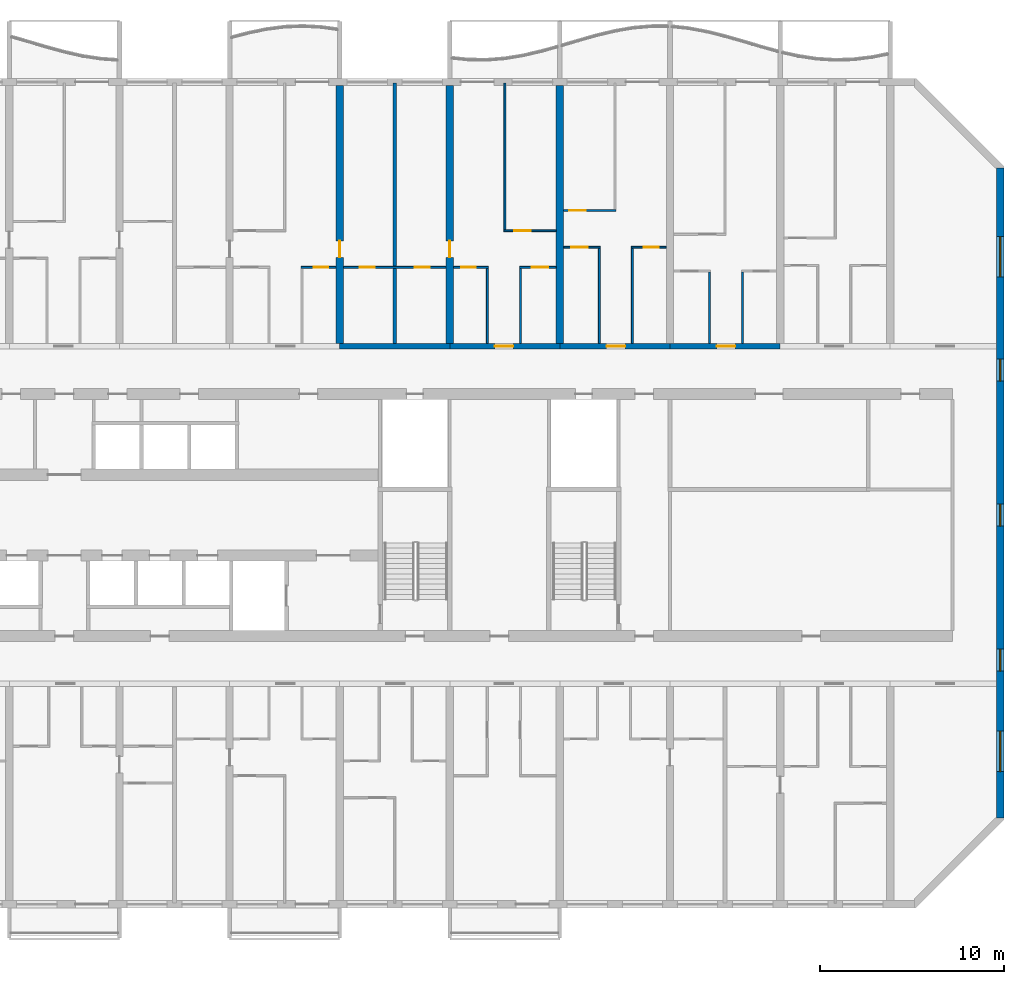
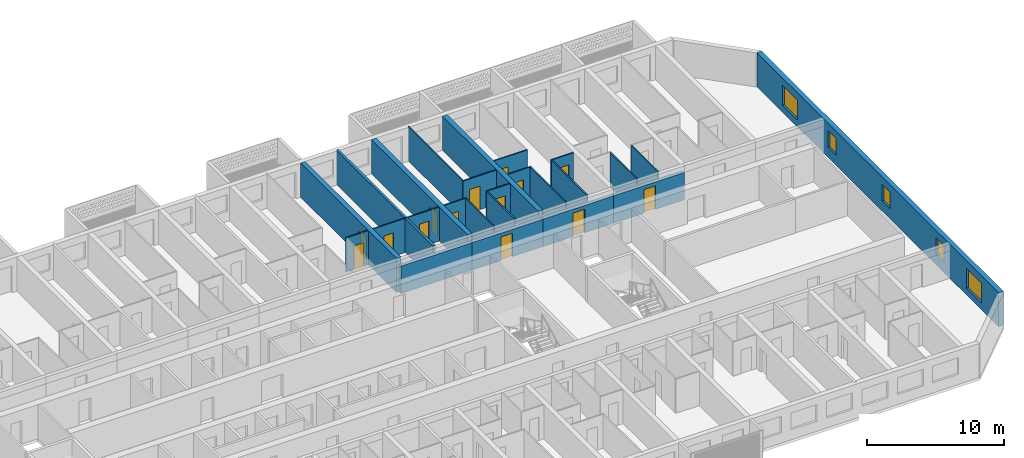
# One storey, part 16 of 40: 24 walls, 14 doors, 5 windows, 19 openings.
"""IFC4 building model written with IfcOpenShell, lengths in metres."""

from ifc_helpers import new_model, si_unit, direction, frame, frame_2d, origin, place, context, subcontext, project, spatial, rectangle, extrude, material, layer, layer_set, type_object, element, fill, save


model = new_model("IFC4")

# Units and contexts
model_context = context("Model", 3, precision=1e-05, world=origin(), true_north=direction((0.0, 1.0)))
body_context = subcontext(model_context, "Body", "Model", "MODEL_VIEW")
ifc_project = project(units=[si_unit("LENGTHUNIT", "METRE"), si_unit("AREAUNIT", "SQUARE_METRE"), si_unit("VOLUMEUNIT", "CUBIC_METRE"), si_unit("PLANEANGLEUNIT", "RADIAN"), si_unit("MASSUNIT", "GRAM", prefix="KILO")], contexts=[model_context])

# Site, building, storey
site_placement = place(None, origin())
site = spatial("IfcSite", under=ifc_project, at=site_placement, CompositionType="ELEMENT")
building_placement = place(site_placement, origin())
building = spatial("IfcBuilding", under=site, at=building_placement, Name="Poui Terraces", CompositionType="ELEMENT")
storey_placement = place(building_placement, frame((0.0, 0.0, 39.89990234375)))
storey = spatial("IfcBuildingStorey", under=building, at=storey_placement, Name="L10", CompositionType="ELEMENT", Elevation=39.89990234375)

# Wall
ifc_material_1 = material(Name="Concrete 80 MPa", Category="concrete")
ifc_layer_1 = layer(ifc_material_1, 0.300048828125)
ifc_layer_set_1 = layer_set([ifc_layer_1], Name="Concrete 80 MPa")
wall_type_1 = type_object("IfcWallType", Name="CORRIDOR WALL 300 80MPa", PredefinedType="SHEAR", material=ifc_layer_set_1)
wall_1_placement = place(storey_placement, frame((66.0, 30.39990234375, 0.0), z_axis=(0.0, 0.0, 1.0), x_axis=(1.0, 0.0, 0.0)))
element("IfcWall", 1, at=wall_1_placement, inside=storey, type_object=wall_type_1, Name="CORRIDOR WALL LINE E BAY 12", PredefinedType="SHEAR", context=body_context, shape_type="SweptSolid", body=[
    extrude(rectangle(XDim=6.0, YDim=0.300048828125, at=frame_2d((3.0, 0.0))), origin(), (0.0, 0.0, 1.0), 2.4501953125),
])

# Wall, opening, door
wall_2_placement = place(storey_placement, frame((72.0, 30.39990234375, 0.0), z_axis=(0.0, 0.0, 1.0), x_axis=(1.0, 0.0, 0.0)))
wall_2 = element("IfcWall", 2, at=wall_2_placement, inside=storey, type_object=wall_type_1, Name="CORRIDOR WALL LINE E BAY 13", PredefinedType="SHEAR", context=body_context, shape_type="SweptSolid", body=[
    extrude(rectangle(XDim=6.0, YDim=0.300048828125, at=frame_2d((3.0, 0.0))), origin(), (0.0, 0.0, 1.0), 2.4501953125),
])
opening_1_placement = place(wall_2_placement, frame((2.449951171875, 0.0, 0.0)))
opening_1 = element("IfcOpeningElement", 3, at=opening_1_placement, cuts=wall_2, Name="Opening FD30S", PredefinedType="OPENING", context=body_context, shape_type="SweptSolid", body=[
    extrude(rectangle(XDim=1.0, YDim=2.10009765625, at=frame_2d((0.5, 1.050048828125))), frame((0.0, 0.16015625, 0.0), z_axis=(0.0, -1.0, 0.0), x_axis=(1.0, 0.0, 0.0)), (0.0, 0.0, 1.0), 0.320068359375),
])
ifc_material_2 = material(Name="Steel fire door", Category="steel")
door_type_1 = type_object("IfcDoorType", Name="FLAT ENTRANCE DOOR 1000 X 2100", OperationType="NOTDEFINED", PredefinedType="DOOR", material=ifc_material_2)
door_1_placement = place(opening_1_placement, origin())
door_1 = element("IfcDoor", 4, at=door_1_placement, inside=storey, type_object=door_type_1, Name="FLAT ENTRANCE DOOR 074", OperationType="SINGLE_SWING_LEFT", OverallHeight=2.10009765625, OverallWidth=1.0, PredefinedType="DOOR", context=body_context, shape_type="SweptSolid", body=[
    extrude(rectangle(XDim=1.0, YDim=2.10009765625, at=frame_2d((0.5, 1.050048828125))), frame((0.0, 0.02490234375, 0.0), z_axis=(0.0, -1.0, 0.0), x_axis=(1.0, 0.0, 0.0)), (0.0, 0.0, 1.0), 0.050048828125),
])
fill(opening_1, door_1)

wall_3_placement = place(storey_placement, frame((78.0, 30.39990234375, 0.0), z_axis=(0.0, 0.0, 1.0), x_axis=(1.0, 0.0, 0.0)))
wall_3 = element("IfcWall", 5, at=wall_3_placement, inside=storey, type_object=wall_type_1, Name="CORRIDOR WALL LINE E BAY 14", PredefinedType="SHEAR", context=body_context, shape_type="SweptSolid", body=[
    extrude(rectangle(XDim=6.0, YDim=0.300048828125, at=frame_2d((3.0, 0.0))), origin(), (0.0, 0.0, 1.0), 2.4501953125),
])
opening_2_placement = place(wall_3_placement, frame((2.550048828125, 0.0, 0.0)))
opening_2 = element("IfcOpeningElement", 6, at=opening_2_placement, cuts=wall_3, Name="Opening FD30S", PredefinedType="OPENING", context=body_context, shape_type="SweptSolid", body=[
    extrude(rectangle(XDim=1.0, YDim=2.10009765625, at=frame_2d((0.5, 1.050048828125))), frame((0.0, 0.16015625, 0.0), z_axis=(0.0, -1.0, 0.0), x_axis=(1.0, 0.0, 0.0)), (0.0, 0.0, 1.0), 0.320068359375),
])
door_2_placement = place(opening_2_placement, origin())
door_2 = element("IfcDoor", 7, at=door_2_placement, inside=storey, type_object=door_type_1, Name="FLAT ENTRANCE DOOR 079", OperationType="SINGLE_SWING_RIGHT", OverallHeight=2.10009765625, OverallWidth=1.0, PredefinedType="DOOR", context=body_context, shape_type="SweptSolid", body=[
    extrude(rectangle(XDim=1.0, YDim=2.10009765625, at=frame_2d((0.5, 1.050048828125))), frame((0.0, 0.02490234375, 0.0), z_axis=(0.0, -1.0, 0.0), x_axis=(1.0, 0.0, 0.0)), (0.0, 0.0, 1.0), 0.050048828125),
])
fill(opening_2, door_2)

wall_4_placement = place(storey_placement, frame((84.0, 30.39990234375, 0.0), z_axis=(0.0, 0.0, 1.0), x_axis=(1.0, 0.0, 0.0)))
wall_4 = element("IfcWall", 8, at=wall_4_placement, inside=storey, type_object=wall_type_1, Name="CORRIDOR WALL LINE E BAY 15", PredefinedType="SHEAR", context=body_context, shape_type="SweptSolid", body=[
    extrude(rectangle(XDim=6.0, YDim=0.300048828125, at=frame_2d((3.0, 0.0))), origin(), (0.0, 0.0, 1.0), 2.4501953125),
])
opening_3_placement = place(wall_4_placement, frame((2.550048828125, 0.0, 0.0)))
opening_3 = element("IfcOpeningElement", 9, at=opening_3_placement, cuts=wall_4, Name="Opening FD30S", PredefinedType="OPENING", context=body_context, shape_type="SweptSolid", body=[
    extrude(rectangle(XDim=1.0, YDim=2.10009765625, at=frame_2d((0.5, 1.050048828125))), frame((0.0, 0.16015625, 0.0), z_axis=(0.0, -1.0, 0.0), x_axis=(1.0, 0.0, 0.0)), (0.0, 0.0, 1.0), 0.320068359375),
])
door_3_placement = place(opening_3_placement, origin())
door_3 = element("IfcDoor", 10, at=door_3_placement, inside=storey, type_object=door_type_1, Name="FLAT ENTRANCE DOOR 083", OperationType="SINGLE_SWING_RIGHT", OverallHeight=2.10009765625, OverallWidth=1.0, PredefinedType="DOOR", context=body_context, shape_type="SweptSolid", body=[
    extrude(rectangle(XDim=1.0, YDim=2.10009765625, at=frame_2d((0.5, 1.050048828125))), frame((0.0, 0.02490234375, 0.0), z_axis=(0.0, -1.0, 0.0), x_axis=(1.0, 0.0, 0.0)), (0.0, 0.0, 1.0), 0.050048828125),
])
fill(opening_3, door_3)

ifc_layer_2 = layer(ifc_material_1, 0.39990234375)
ifc_layer_set_2 = layer_set([ifc_layer_2], Name="Concrete 80 MPa")
wall_type_2 = type_object("IfcWallType", Name="CROSS WALL 400 80MPa", PredefinedType="SHEAR", material=ifc_layer_set_2)
wall_5_placement = place(storey_placement, frame((66.0, 30.550048828125, 0.0), z_axis=(0.0, 0.0, 1.0), x_axis=(0.0, 1.0, 0.0)))
wall_5 = element("IfcWall", 11, at=wall_5_placement, inside=storey, type_object=wall_type_2, Name="CROSS WALL LINE 12 NORTH", PredefinedType="SHEAR", context=body_context, shape_type="SweptSolid", body=[
    extrude(rectangle(XDim=14.050048828125, YDim=0.39990234375, at=frame_2d((7.02490234375, 0.0))), origin(), (0.0, 0.0, 1.0), 3.050048828125),
])
opening_4_placement = place(wall_5_placement, frame((4.699951171875, 0.0, 0.0)))
opening_4 = element("IfcOpeningElement", 12, at=opening_4_placement, cuts=wall_5, Name="Opening D90", PredefinedType="OPENING", context=body_context, shape_type="SweptSolid", body=[
    extrude(rectangle(XDim=0.89990234375, YDim=2.10009765625, at=frame_2d((0.449951171875, 1.050048828125))), frame((0.0, 0.2099609375, 0.0), z_axis=(0.0, -1.0, 0.0), x_axis=(1.0, 0.0, 0.0)), (0.0, 0.0, 1.0), 0.419921875),
])
ifc_material_3 = material(Name="Solid core timber door", Category="wood")
door_type_2 = type_object("IfcDoorType", Name="INTERNAL DOOR 900 X 2100", OperationType="NOTDEFINED", PredefinedType="DOOR", material=ifc_material_3)
door_4_placement = place(opening_4_placement, frame((0.89990234375, 0.0, 0.0), z_axis=(0.0, 0.0, 1.0), x_axis=(-1.0, 0.0, 0.0)))
door_4 = element("IfcDoor", 13, at=door_4_placement, inside=storey, type_object=door_type_2, Name="INTERNAL DOOR 070", OperationType="SINGLE_SWING_RIGHT", OverallHeight=2.10009765625, OverallWidth=0.89990234375, PredefinedType="DOOR", context=body_context, shape_type="SweptSolid", body=[
    extrude(rectangle(XDim=0.89990234375, YDim=2.10009765625, at=frame_2d((0.449951171875, 1.050048828125))), frame((0.0, 0.02490234375, 0.0), z_axis=(0.0, -1.0, 0.0), x_axis=(1.0, 0.0, 0.0)), (0.0, 0.0, 1.0), 0.050048828125),
])
fill(opening_4, door_4)

wall_6_placement = place(storey_placement, frame((72.0, 30.550048828125, 0.0), z_axis=(0.0, 0.0, 1.0), x_axis=(0.0, 1.0, 0.0)))
wall_6 = element("IfcWall", 14, at=wall_6_placement, inside=storey, type_object=wall_type_2, Name="CROSS WALL LINE 13 NORTH", PredefinedType="SHEAR", context=body_context, shape_type="SweptSolid", body=[
    extrude(rectangle(XDim=14.050048828125, YDim=0.39990234375, at=frame_2d((7.02490234375, 0.0))), origin(), (0.0, 0.0, 1.0), 3.050048828125),
])
opening_5_placement = place(wall_6_placement, frame((4.699951171875, 0.0, 0.0)))
opening_5 = element("IfcOpeningElement", 15, at=opening_5_placement, cuts=wall_6, Name="Opening D90", PredefinedType="OPENING", context=body_context, shape_type="SweptSolid", body=[
    extrude(rectangle(XDim=0.89990234375, YDim=2.10009765625, at=frame_2d((0.449951171875, 1.050048828125))), frame((0.0, 0.2099609375, 0.0), z_axis=(0.0, -1.0, 0.0), x_axis=(1.0, 0.0, 0.0)), (0.0, 0.0, 1.0), 0.419921875),
])
door_5_placement = place(opening_5_placement, origin())
door_5 = element("IfcDoor", 16, at=door_5_placement, inside=storey, type_object=door_type_2, Name="INTERNAL DOOR 072", OperationType="SINGLE_SWING_LEFT", OverallHeight=2.10009765625, OverallWidth=0.89990234375, PredefinedType="DOOR", context=body_context, shape_type="SweptSolid", body=[
    extrude(rectangle(XDim=0.89990234375, YDim=2.10009765625, at=frame_2d((0.449951171875, 1.050048828125))), frame((0.0, 0.02490234375, 0.0), z_axis=(0.0, -1.0, 0.0), x_axis=(1.0, 0.0, 0.0)), (0.0, 0.0, 1.0), 0.050048828125),
])
fill(opening_5, door_5)

# Wall
wall_7_placement = place(storey_placement, frame((78.0, 30.550048828125, 0.0), z_axis=(0.0, 0.0, 1.0), x_axis=(0.0, 1.0, 0.0)))
element("IfcWall", 17, at=wall_7_placement, inside=storey, type_object=wall_type_2, Name="CROSS WALL LINE 14 NORTH", PredefinedType="SHEAR", context=body_context, shape_type="SweptSolid", body=[
    extrude(rectangle(XDim=14.050048828125, YDim=0.39990234375, at=frame_2d((7.02490234375, 0.0))), origin(), (0.0, 0.0, 1.0), 3.050048828125),
])

# Wall, openings, windows
ifc_layer_3 = layer(ifc_material_1, 0.39990234375)
ifc_layer_set_3 = layer_set([ifc_layer_3], Name="Concrete 80 MPa")
wall_type_3 = type_object("IfcWallType", Name="END WALL 400 80MPa", PredefinedType="SHEAR", material=ifc_layer_set_3)
wall_8_placement = place(storey_placement, frame((102.0, 4.682861328125, 0.0), z_axis=(0.0, 0.0, 1.0), x_axis=(0.0, 1.0, 0.0)))
wall_8 = element("IfcWall", 18, at=wall_8_placement, inside=storey, type_object=wall_type_3, Name="END WALL EAST", PredefinedType="SHEAR", context=body_context, shape_type="SweptSolid", body=[
    extrude(rectangle(XDim=35.434326171875, YDim=0.39990234375, at=frame_2d((17.71728515625, 0.0))), origin(), (0.0, 0.0, 1.0), 3.050048828125),
])
opening_6_placement = place(wall_8_placement, frame((15.917236328125, 0.0, 0.89990234375)))
opening_6 = element("IfcOpeningElement", 19, at=opening_6_placement, cuts=wall_8, Name="Opening W2", PredefinedType="OPENING", context=body_context, shape_type="SweptSolid", body=[
    extrude(rectangle(XDim=1.199951171875, YDim=1.5, at=frame_2d((0.60009765625, 0.75))), frame((0.0, 0.2099609375, 0.0), z_axis=(0.0, -1.0, 0.0), x_axis=(1.0, 0.0, 0.0)), (0.0, 0.0, 1.0), 0.419921875),
])
opening_7_placement = place(wall_8_placement, frame((23.817138671875, 0.0, 0.89990234375)))
opening_7 = element("IfcOpeningElement", 20, at=opening_7_placement, cuts=wall_8, Name="Opening W2", PredefinedType="OPENING", context=body_context, shape_type="SweptSolid", body=[
    extrude(rectangle(XDim=1.199951171875, YDim=1.5, at=frame_2d((0.60009765625, 0.75))), frame((0.0, 0.2099609375, 0.0), z_axis=(0.0, -1.0, 0.0), x_axis=(1.0, 0.0, 0.0)), (0.0, 0.0, 1.0), 0.419921875),
])
opening_8_placement = place(wall_8_placement, frame((8.01708984375, 0.0, 0.89990234375)))
opening_8 = element("IfcOpeningElement", 21, at=opening_8_placement, cuts=wall_8, Name="Opening W2", PredefinedType="OPENING", context=body_context, shape_type="SweptSolid", body=[
    extrude(rectangle(XDim=1.199951171875, YDim=1.5, at=frame_2d((0.60009765625, 0.75))), frame((0.0, 0.2099609375, 0.0), z_axis=(0.0, -1.0, 0.0), x_axis=(1.0, 0.0, 0.0)), (0.0, 0.0, 1.0), 0.419921875),
])
opening_9_placement = place(wall_8_placement, frame((29.493408203125, 0.0, 0.60009765625)))
opening_9 = element("IfcOpeningElement", 22, at=opening_9_placement, cuts=wall_8, Name="Opening W3", PredefinedType="OPENING", context=body_context, shape_type="SweptSolid", body=[
    extrude(rectangle(XDim=2.199951171875, YDim=1.800048828125, at=frame_2d((1.10009765625, 0.89990234375))), frame((0.0, 0.2099609375, 0.0), z_axis=(0.0, -1.0, 0.0), x_axis=(1.0, 0.0, 0.0)), (0.0, 0.0, 1.0), 0.419921875),
])
opening_10_placement = place(wall_8_placement, frame((2.541015625, 0.0, 0.60009765625)))
opening_10 = element("IfcOpeningElement", 23, at=opening_10_placement, cuts=wall_8, Name="Opening W3", PredefinedType="OPENING", context=body_context, shape_type="SweptSolid", body=[
    extrude(rectangle(XDim=2.199951171875, YDim=1.800048828125, at=frame_2d((1.10009765625, 0.89990234375))), frame((0.0, 0.2099609375, 0.0), z_axis=(0.0, -1.0, 0.0), x_axis=(1.0, 0.0, 0.0)), (0.0, 0.0, 1.0), 0.419921875),
])
ifc_material_4 = material(Name="Clear glass in aluminium frame", Category="aluminium")
window_type_1 = type_object("IfcWindowType", Name="WINDOW 1200X1500", PartitioningType="SINGLE_PANEL", PredefinedType="WINDOW", material=ifc_material_4)
window_1_placement = place(opening_6_placement, origin())
window_1 = element("IfcWindow", 24, at=window_1_placement, inside=storey, type_object=window_type_1, Name="W2 WINDOW", OverallHeight=1.5, OverallWidth=1.199951171875, PartitioningType="SINGLE_PANEL", PredefinedType="WINDOW", context=body_context, shape_type="SweptSolid", body=[
    extrude(rectangle(XDim=1.199951171875, YDim=1.5, at=frame_2d((0.60009765625, 0.75))), frame((0.0, 0.030029296875, 0.0), z_axis=(0.0, -1.0, 0.0), x_axis=(1.0, 0.0, 0.0)), (0.0, 0.0, 1.0), 0.06005859375),
])
fill(opening_6, window_1)
window_2_placement = place(opening_7_placement, origin())
window_2 = element("IfcWindow", 25, at=window_2_placement, inside=storey, type_object=window_type_1, Name="W2 WINDOW", OverallHeight=1.5, OverallWidth=1.199951171875, PartitioningType="SINGLE_PANEL", PredefinedType="WINDOW", context=body_context, shape_type="SweptSolid", body=[
    extrude(rectangle(XDim=1.199951171875, YDim=1.5, at=frame_2d((0.60009765625, 0.75))), frame((0.0, 0.030029296875, 0.0), z_axis=(0.0, -1.0, 0.0), x_axis=(1.0, 0.0, 0.0)), (0.0, 0.0, 1.0), 0.06005859375),
])
fill(opening_7, window_2)
window_3_placement = place(opening_8_placement, origin())
window_3 = element("IfcWindow", 26, at=window_3_placement, inside=storey, type_object=window_type_1, Name="W2 WINDOW", OverallHeight=1.5, OverallWidth=1.199951171875, PartitioningType="SINGLE_PANEL", PredefinedType="WINDOW", context=body_context, shape_type="SweptSolid", body=[
    extrude(rectangle(XDim=1.199951171875, YDim=1.5, at=frame_2d((0.60009765625, 0.75))), frame((0.0, 0.030029296875, 0.0), z_axis=(0.0, -1.0, 0.0), x_axis=(1.0, 0.0, 0.0)), (0.0, 0.0, 1.0), 0.06005859375),
])
fill(opening_8, window_3)
window_type_2 = type_object("IfcWindowType", Name="WINDOW 2200X1800", PartitioningType="DOUBLE_PANEL_HORIZONTAL", PredefinedType="WINDOW", material=ifc_material_4)
window_4_placement = place(opening_9_placement, origin())
window_4 = element("IfcWindow", 27, at=window_4_placement, inside=storey, type_object=window_type_2, Name="W3 WINDOW", OverallHeight=1.800048828125, OverallWidth=2.199951171875, PartitioningType="DOUBLE_PANEL_HORIZONTAL", PredefinedType="WINDOW", context=body_context, shape_type="SweptSolid", body=[
    extrude(rectangle(XDim=2.199951171875, YDim=1.800048828125, at=frame_2d((1.10009765625, 0.89990234375))), frame((0.0, 0.030029296875, 0.0), z_axis=(0.0, -1.0, 0.0), x_axis=(1.0, 0.0, 0.0)), (0.0, 0.0, 1.0), 0.06005859375),
])
fill(opening_9, window_4)
window_5_placement = place(opening_10_placement, origin())
window_5 = element("IfcWindow", 28, at=window_5_placement, inside=storey, type_object=window_type_2, Name="W3 WINDOW", OverallHeight=1.800048828125, OverallWidth=2.199951171875, PartitioningType="DOUBLE_PANEL_HORIZONTAL", PredefinedType="WINDOW", context=body_context, shape_type="SweptSolid", body=[
    extrude(rectangle(XDim=2.199951171875, YDim=1.800048828125, at=frame_2d((1.10009765625, 0.89990234375))), frame((0.0, 0.030029296875, 0.0), z_axis=(0.0, -1.0, 0.0), x_axis=(1.0, 0.0, 0.0)), (0.0, 0.0, 1.0), 0.06005859375),
])
fill(opening_10, window_5)

# Wall, opening, door
ifc_material_5 = material(Name="Plasterboard partition")
ifc_layer_4 = layer(ifc_material_5, 0.10009765625)
ifc_layer_set_4 = layer_set([ifc_layer_4], Name="Plasterboard partition")
wall_type_4 = type_object("IfcWallType", Name="FLAT PARTITION 100", PredefinedType="PARTITIONING", material=ifc_layer_set_4)
wall_9_placement = place(storey_placement, frame((63.89990234375, 34.699951171875, 0.0), z_axis=(0.0, 0.0, 1.0), x_axis=(1.0, 0.0, 0.0)))
wall_9 = element("IfcWall", 29, at=wall_9_placement, inside=storey, type_object=wall_type_4, Name="FLAT PARTITION 100", PredefinedType="PARTITIONING", context=body_context, shape_type="SweptSolid", body=[
    extrude(rectangle(XDim=1.89013671875, YDim=0.10009765625, at=frame_2d((0.945068359375, 0.0))), origin(), (0.0, 0.0, 1.0), 3.050048828125),
])
opening_11_placement = place(wall_9_placement, frame((0.675048828125, 0.0, 0.0)))
opening_11 = element("IfcOpeningElement", 30, at=opening_11_placement, cuts=wall_9, Name="Opening D80", PredefinedType="OPENING", context=body_context, shape_type="SweptSolid", body=[
    extrude(rectangle(XDim=0.800048828125, YDim=2.10009765625, at=frame_2d((0.39990234375, 1.050048828125))), frame((0.0, 0.06005859375, 0.0), z_axis=(0.0, -1.0, 0.0), x_axis=(1.0, 0.0, 0.0)), (0.0, 0.0, 1.0), 0.1201171875),
])
door_type_3 = type_object("IfcDoorType", Name="BATHROOM, LAUNDRY AND STORE DOOR 800 X 2100", OperationType="NOTDEFINED", PredefinedType="DOOR", material=ifc_material_3)
door_6_placement = place(opening_11_placement, frame((0.800048828125, 0.0, 0.0), z_axis=(0.0, 0.0, 1.0), x_axis=(-1.0, 0.0, 0.0)))
door_6 = element("IfcDoor", 31, at=door_6_placement, inside=storey, type_object=door_type_3, Name="BATHROOM, LAUNDRY AND STORE DOOR 069", OperationType="SINGLE_SWING_LEFT", OverallHeight=2.10009765625, OverallWidth=0.800048828125, PredefinedType="DOOR", context=body_context, shape_type="SweptSolid", body=[
    extrude(rectangle(XDim=0.800048828125, YDim=2.10009765625, at=frame_2d((0.39990234375, 1.050048828125))), frame((0.0, 0.02490234375, 0.0), z_axis=(0.0, -1.0, 0.0), x_axis=(1.0, 0.0, 0.0)), (0.0, 0.0, 1.0), 0.050048828125),
])
fill(opening_11, door_6)

# Wall, openings, doors
wall_10_placement = place(storey_placement, frame((66.2099609375, 34.699951171875, 0.0), z_axis=(0.0, 0.0, 1.0), x_axis=(1.0, 0.0, 0.0)))
wall_10 = element("IfcWall", 32, at=wall_10_placement, inside=storey, type_object=wall_type_4, Name="FLAT PARTITION 100", PredefinedType="PARTITIONING", context=body_context, shape_type="SweptSolid", body=[
    extrude(rectangle(XDim=5.580078125, YDim=0.10009765625, at=frame_2d((2.7900390625, 0.0))), origin(), (0.0, 0.0, 1.0), 3.050048828125),
])
opening_12_placement = place(wall_10_placement, frame((0.889892578125, 0.0, 0.0)))
opening_12 = element("IfcOpeningElement", 33, at=opening_12_placement, cuts=wall_10, Name="Opening D80", PredefinedType="OPENING", context=body_context, shape_type="SweptSolid", body=[
    extrude(rectangle(XDim=0.800048828125, YDim=2.10009765625, at=frame_2d((0.39990234375, 1.050048828125))), frame((0.0, 0.06005859375, 0.0), z_axis=(0.0, -1.0, 0.0), x_axis=(1.0, 0.0, 0.0)), (0.0, 0.0, 1.0), 0.1201171875),
])
opening_13_placement = place(wall_10_placement, frame((3.889892578125, 0.0, 0.0)))
opening_13 = element("IfcOpeningElement", 34, at=opening_13_placement, cuts=wall_10, Name="Opening D80", PredefinedType="OPENING", context=body_context, shape_type="SweptSolid", body=[
    extrude(rectangle(XDim=0.800048828125, YDim=2.10009765625, at=frame_2d((0.39990234375, 1.050048828125))), frame((0.0, 0.06005859375, 0.0), z_axis=(0.0, -1.0, 0.0), x_axis=(1.0, 0.0, 0.0)), (0.0, 0.0, 1.0), 0.1201171875),
])
door_7_placement = place(opening_12_placement, frame((0.800048828125, 0.0, 0.0), z_axis=(0.0, 0.0, 1.0), x_axis=(-1.0, 0.0, 0.0)))
door_7 = element("IfcDoor", 35, at=door_7_placement, inside=storey, type_object=door_type_3, Name="BATHROOM, LAUNDRY AND STORE DOOR 064", OperationType="SINGLE_SWING_RIGHT", OverallHeight=2.10009765625, OverallWidth=0.800048828125, PredefinedType="DOOR", context=body_context, shape_type="SweptSolid", body=[
    extrude(rectangle(XDim=0.800048828125, YDim=2.10009765625, at=frame_2d((0.39990234375, 1.050048828125))), frame((0.0, 0.02490234375, 0.0), z_axis=(0.0, -1.0, 0.0), x_axis=(1.0, 0.0, 0.0)), (0.0, 0.0, 1.0), 0.050048828125),
])
fill(opening_12, door_7)
door_8_placement = place(opening_13_placement, frame((0.800048828125, 0.0, 0.0), z_axis=(0.0, 0.0, 1.0), x_axis=(-1.0, 0.0, 0.0)))
door_8 = element("IfcDoor", 36, at=door_8_placement, inside=storey, type_object=door_type_3, Name="BATHROOM, LAUNDRY AND STORE DOOR 071", OperationType="SINGLE_SWING_LEFT", OverallHeight=2.10009765625, OverallWidth=0.800048828125, PredefinedType="DOOR", context=body_context, shape_type="SweptSolid", body=[
    extrude(rectangle(XDim=0.800048828125, YDim=2.10009765625, at=frame_2d((0.39990234375, 1.050048828125))), frame((0.0, 0.02490234375, 0.0), z_axis=(0.0, -1.0, 0.0), x_axis=(1.0, 0.0, 0.0)), (0.0, 0.0, 1.0), 0.050048828125),
])
fill(opening_13, door_8)

# Wall, opening, door
wall_11_placement = place(storey_placement, frame((72.2099609375, 34.699951171875, 0.0), z_axis=(0.0, 0.0, 1.0), x_axis=(1.0, 0.0, 0.0)))
wall_11 = element("IfcWall", 37, at=wall_11_placement, inside=storey, type_object=wall_type_4, Name="FLAT PARTITION 100", PredefinedType="PARTITIONING", context=body_context, shape_type="SweptSolid", body=[
    extrude(rectangle(XDim=1.89013671875, YDim=0.10009765625, at=frame_2d((0.945068359375, 0.0))), origin(), (0.0, 0.0, 1.0), 3.050048828125),
])
opening_14_placement = place(wall_11_placement, frame((0.4150390625, 0.0, 0.0)))
opening_14 = element("IfcOpeningElement", 38, at=opening_14_placement, cuts=wall_11, Name="Opening D80", PredefinedType="OPENING", context=body_context, shape_type="SweptSolid", body=[
    extrude(rectangle(XDim=0.800048828125, YDim=2.10009765625, at=frame_2d((0.39990234375, 1.050048828125))), frame((0.0, 0.06005859375, 0.0), z_axis=(0.0, -1.0, 0.0), x_axis=(1.0, 0.0, 0.0)), (0.0, 0.0, 1.0), 0.1201171875),
])
door_9_placement = place(opening_14_placement, frame((0.800048828125, 0.0, 0.0), z_axis=(0.0, 0.0, 1.0), x_axis=(-1.0, 0.0, 0.0)))
door_9 = element("IfcDoor", 39, at=door_9_placement, inside=storey, type_object=door_type_3, Name="BATHROOM, LAUNDRY AND STORE DOOR 073", OperationType="SINGLE_SWING_LEFT", OverallHeight=2.10009765625, OverallWidth=0.800048828125, PredefinedType="DOOR", context=body_context, shape_type="SweptSolid", body=[
    extrude(rectangle(XDim=0.800048828125, YDim=2.10009765625, at=frame_2d((0.39990234375, 1.050048828125))), frame((0.0, 0.02490234375, 0.0), z_axis=(0.0, -1.0, 0.0), x_axis=(1.0, 0.0, 0.0)), (0.0, 0.0, 1.0), 0.050048828125),
])
fill(opening_14, door_9)

wall_12_placement = place(storey_placement, frame((75.800048828125, 34.699951171875, 0.0), z_axis=(0.0, 0.0, 1.0), x_axis=(1.0, 0.0, 0.0)))
wall_12 = element("IfcWall", 40, at=wall_12_placement, inside=storey, type_object=wall_type_4, Name="FLAT PARTITION 100", PredefinedType="PARTITIONING", context=body_context, shape_type="SweptSolid", body=[
    extrude(rectangle(XDim=1.989990234375, YDim=0.10009765625, at=frame_2d((0.9951171875, 0.0))), origin(), (0.0, 0.0, 1.0), 3.050048828125),
])
opening_15_placement = place(wall_12_placement, frame((0.675048828125, 0.0, 0.0)))
opening_15 = element("IfcOpeningElement", 41, at=opening_15_placement, cuts=wall_12, Name="Opening D90", PredefinedType="OPENING", context=body_context, shape_type="SweptSolid", body=[
    extrude(rectangle(XDim=0.89990234375, YDim=2.10009765625, at=frame_2d((0.449951171875, 1.050048828125))), frame((0.0, 0.06005859375, 0.0), z_axis=(0.0, -1.0, 0.0), x_axis=(1.0, 0.0, 0.0)), (0.0, 0.0, 1.0), 0.1201171875),
])
door_10_placement = place(opening_15_placement, frame((0.89990234375, 0.0, 0.0), z_axis=(0.0, 0.0, 1.0), x_axis=(-1.0, 0.0, 0.0)))
door_10 = element("IfcDoor", 42, at=door_10_placement, inside=storey, type_object=door_type_2, Name="INTERNAL DOOR 076", OperationType="SINGLE_SWING_RIGHT", OverallHeight=2.10009765625, OverallWidth=0.89990234375, PredefinedType="DOOR", context=body_context, shape_type="SweptSolid", body=[
    extrude(rectangle(XDim=0.89990234375, YDim=2.10009765625, at=frame_2d((0.449951171875, 1.050048828125))), frame((0.0, 0.02490234375, 0.0), z_axis=(0.0, -1.0, 0.0), x_axis=(1.0, 0.0, 0.0)), (0.0, 0.0, 1.0), 0.050048828125),
])
fill(opening_15, door_10)

wall_13_placement = place(storey_placement, frame((78.2099609375, 35.800048828125, 0.0), z_axis=(0.0, 0.0, 1.0), x_axis=(1.0, 0.0, 0.0)))
wall_13 = element("IfcWall", 43, at=wall_13_placement, inside=storey, type_object=wall_type_4, Name="FLAT PARTITION 100", PredefinedType="PARTITIONING", context=body_context, shape_type="SweptSolid", body=[
    extrude(rectangle(XDim=1.989990234375, YDim=0.10009765625, at=frame_2d((0.9951171875, 0.0))), origin(), (0.0, 0.0, 1.0), 3.050048828125),
])
opening_16_placement = place(wall_13_placement, frame((0.4150390625, 0.0, 0.0)))
opening_16 = element("IfcOpeningElement", 44, at=opening_16_placement, cuts=wall_13, Name="Opening D90", PredefinedType="OPENING", context=body_context, shape_type="SweptSolid", body=[
    extrude(rectangle(XDim=0.89990234375, YDim=2.10009765625, at=frame_2d((0.449951171875, 1.050048828125))), frame((0.0, 0.06005859375, 0.0), z_axis=(0.0, -1.0, 0.0), x_axis=(1.0, 0.0, 0.0)), (0.0, 0.0, 1.0), 0.1201171875),
])
door_11_placement = place(opening_16_placement, frame((0.89990234375, 0.0, 0.0), z_axis=(0.0, 0.0, 1.0), x_axis=(-1.0, 0.0, 0.0)))
door_11 = element("IfcDoor", 45, at=door_11_placement, inside=storey, type_object=door_type_2, Name="INTERNAL DOOR 078", OperationType="SINGLE_SWING_RIGHT", OverallHeight=2.10009765625, OverallWidth=0.89990234375, PredefinedType="DOOR", context=body_context, shape_type="SweptSolid", body=[
    extrude(rectangle(XDim=0.89990234375, YDim=2.10009765625, at=frame_2d((0.449951171875, 1.050048828125))), frame((0.0, 0.02490234375, 0.0), z_axis=(0.0, -1.0, 0.0), x_axis=(1.0, 0.0, 0.0)), (0.0, 0.0, 1.0), 0.050048828125),
])
fill(opening_16, door_11)

wall_14_placement = place(storey_placement, frame((81.89990234375, 35.800048828125, 0.0), z_axis=(0.0, 0.0, 1.0), x_axis=(1.0, 0.0, 0.0)))
wall_14 = element("IfcWall", 46, at=wall_14_placement, inside=storey, type_object=wall_type_4, Name="FLAT PARTITION 100", PredefinedType="PARTITIONING", context=body_context, shape_type="SweptSolid", body=[
    extrude(rectangle(XDim=1.89013671875, YDim=0.10009765625, at=frame_2d((0.945068359375, 0.0))), origin(), (0.0, 0.0, 1.0), 3.050048828125),
])
opening_17_placement = place(wall_14_placement, frame((0.675048828125, 0.0, 0.0)))
opening_17 = element("IfcOpeningElement", 47, at=opening_17_placement, cuts=wall_14, Name="Opening D80", PredefinedType="OPENING", context=body_context, shape_type="SweptSolid", body=[
    extrude(rectangle(XDim=0.800048828125, YDim=2.10009765625, at=frame_2d((0.39990234375, 1.050048828125))), frame((0.0, 0.06005859375, 0.0), z_axis=(0.0, -1.0, 0.0), x_axis=(1.0, 0.0, 0.0)), (0.0, 0.0, 1.0), 0.1201171875),
])
door_12_placement = place(opening_17_placement, frame((0.800048828125, 0.0, 0.0), z_axis=(0.0, 0.0, 1.0), x_axis=(-1.0, 0.0, 0.0)))
door_12 = element("IfcDoor", 48, at=door_12_placement, inside=storey, type_object=door_type_3, Name="BATHROOM, LAUNDRY AND STORE DOOR 080", OperationType="SINGLE_SWING_LEFT", OverallHeight=2.10009765625, OverallWidth=0.800048828125, PredefinedType="DOOR", context=body_context, shape_type="SweptSolid", body=[
    extrude(rectangle(XDim=0.800048828125, YDim=2.10009765625, at=frame_2d((0.39990234375, 1.050048828125))), frame((0.0, 0.02490234375, 0.0), z_axis=(0.0, -1.0, 0.0), x_axis=(1.0, 0.0, 0.0)), (0.0, 0.0, 1.0), 0.050048828125),
])
fill(opening_17, door_12)

wall_15_placement = place(storey_placement, frame((74.949951171875, 36.699951171875, 0.0), z_axis=(0.0, 0.0, 1.0), x_axis=(1.0, 0.0, 0.0)))
wall_15 = element("IfcWall", 49, at=wall_15_placement, inside=storey, type_object=wall_type_4, Name="FLAT PARTITION 100", PredefinedType="PARTITIONING", context=body_context, shape_type="SweptSolid", body=[
    extrude(rectangle(XDim=2.840087890625, YDim=0.10009765625, at=frame_2d((1.419921875, 0.0))), origin(), (0.0, 0.0, 1.0), 3.050048828125),
])
opening_18_placement = place(wall_15_placement, frame((0.550048828125, 0.0, 0.0)))
opening_18 = element("IfcOpeningElement", 50, at=opening_18_placement, cuts=wall_15, Name="Opening D90", PredefinedType="OPENING", context=body_context, shape_type="SweptSolid", body=[
    extrude(rectangle(XDim=0.89990234375, YDim=2.10009765625, at=frame_2d((0.449951171875, 1.050048828125))), frame((0.0, 0.06005859375, 0.0), z_axis=(0.0, -1.0, 0.0), x_axis=(1.0, 0.0, 0.0)), (0.0, 0.0, 1.0), 0.1201171875),
])
door_13_placement = place(opening_18_placement, frame((0.89990234375, 0.0, 0.0), z_axis=(0.0, 0.0, 1.0), x_axis=(-1.0, 0.0, 0.0)))
door_13 = element("IfcDoor", 51, at=door_13_placement, inside=storey, type_object=door_type_2, Name="INTERNAL DOOR 075", OperationType="SINGLE_SWING_LEFT", OverallHeight=2.10009765625, OverallWidth=0.89990234375, PredefinedType="DOOR", context=body_context, shape_type="SweptSolid", body=[
    extrude(rectangle(XDim=0.89990234375, YDim=2.10009765625, at=frame_2d((0.449951171875, 1.050048828125))), frame((0.0, 0.02490234375, 0.0), z_axis=(0.0, -1.0, 0.0), x_axis=(1.0, 0.0, 0.0)), (0.0, 0.0, 1.0), 0.050048828125),
])
fill(opening_18, door_13)

wall_16_placement = place(storey_placement, frame((78.2099609375, 37.800048828125, 0.0), z_axis=(0.0, 0.0, 1.0), x_axis=(1.0, 0.0, 0.0)))
wall_16 = element("IfcWall", 52, at=wall_16_placement, inside=storey, type_object=wall_type_4, Name="FLAT PARTITION 100", PredefinedType="PARTITIONING", context=body_context, shape_type="SweptSolid", body=[
    extrude(rectangle(XDim=2.840087890625, YDim=0.10009765625, at=frame_2d((1.419921875, 0.0))), origin(), (0.0, 0.0, 1.0), 3.050048828125),
])
opening_19_placement = place(wall_16_placement, frame((0.2900390625, 0.0, 0.0)))
opening_19 = element("IfcOpeningElement", 53, at=opening_19_placement, cuts=wall_16, Name="Opening D90", PredefinedType="OPENING", context=body_context, shape_type="SweptSolid", body=[
    extrude(rectangle(XDim=0.89990234375, YDim=2.10009765625, at=frame_2d((0.449951171875, 1.050048828125))), frame((0.0, 0.06005859375, 0.0), z_axis=(0.0, -1.0, 0.0), x_axis=(1.0, 0.0, 0.0)), (0.0, 0.0, 1.0), 0.1201171875),
])
door_14_placement = place(opening_19_placement, frame((0.89990234375, 0.0, 0.0), z_axis=(0.0, 0.0, 1.0), x_axis=(-1.0, 0.0, 0.0)))
door_14 = element("IfcDoor", 54, at=door_14_placement, inside=storey, type_object=door_type_2, Name="INTERNAL DOOR 077", OperationType="SINGLE_SWING_LEFT", OverallHeight=2.10009765625, OverallWidth=0.89990234375, PredefinedType="DOOR", context=body_context, shape_type="SweptSolid", body=[
    extrude(rectangle(XDim=0.89990234375, YDim=2.10009765625, at=frame_2d((0.449951171875, 1.050048828125))), frame((0.0, 0.02490234375, 0.0), z_axis=(0.0, -1.0, 0.0), x_axis=(1.0, 0.0, 0.0)), (0.0, 0.0, 1.0), 0.050048828125),
])
fill(opening_19, door_14)

# Walls
wall_17_placement = place(storey_placement, frame((74.050048828125, 30.56005859375, 0.0), z_axis=(0.0, 0.0, 1.0), x_axis=(0.0, 1.0, 0.0)))
element("IfcWall", 55, at=wall_17_placement, inside=storey, type_object=wall_type_4, Name="FLAT PARTITION 100", PredefinedType="PARTITIONING", context=body_context, shape_type="SweptSolid", body=[
    extrude(rectangle(XDim=4.08984375, YDim=0.10009765625, at=frame_2d((2.044921875, 0.0))), origin(), (0.0, 0.0, 1.0), 3.050048828125),
])
wall_18_placement = place(storey_placement, frame((75.0, 36.75, 0.0), z_axis=(0.0, 0.0, 1.0), x_axis=(0.0, 1.0, 0.0)))
element("IfcWall", 56, at=wall_18_placement, inside=storey, type_object=wall_type_4, Name="FLAT PARTITION 100", PredefinedType="PARTITIONING", context=body_context, shape_type="SweptSolid", body=[
    extrude(rectangle(XDim=7.989990234375, YDim=0.10009765625, at=frame_2d((3.9951171875, 0.0))), origin(), (0.0, 0.0, 1.0), 3.050048828125),
])
wall_19_placement = place(storey_placement, frame((75.85009765625, 30.56005859375, 0.0), z_axis=(0.0, 0.0, 1.0), x_axis=(0.0, 1.0, 0.0)))
element("IfcWall", 57, at=wall_19_placement, inside=storey, type_object=wall_type_4, Name="FLAT PARTITION 100", PredefinedType="PARTITIONING", context=body_context, shape_type="SweptSolid", body=[
    extrude(rectangle(XDim=4.08984375, YDim=0.10009765625, at=frame_2d((2.044921875, 0.0))), origin(), (0.0, 0.0, 1.0), 3.050048828125),
])
for number, where, z_axis, x_axis, name in (
    (58, (80.14990234375, 30.56005859375, 0.0), (0.0, 0.0, 1.0), (0.0, 1.0, 0.0), "FLAT PARTITION 100"),
    (59, (81.949951171875, 30.56005859375, 0.0), (0.0, 0.0, 1.0), (0.0, 1.0, 0.0), "FLAT PARTITION 100"),
):
    element("IfcWall", number, at=place(storey_placement, frame(where, z_axis=z_axis, x_axis=x_axis)), inside=storey, type_object=wall_type_4, Name=name, PredefinedType="PARTITIONING", context=body_context, shape_type="SweptSolid", body=[
        extrude(rectangle(XDim=5.18994140625, YDim=0.10009765625, at=frame_2d((2.594970703125, 0.0))), origin(), (0.0, 0.0, 1.0), 3.050048828125),
    ])
for number, where, z_axis, x_axis, name in (
    (60, (86.14990234375, 30.56005859375, 0.0), (0.0, 0.0, 1.0), (0.0, 1.0, 0.0), "FLAT PARTITION 100"),
    (61, (87.949951171875, 30.56005859375, 0.0), (0.0, 0.0, 1.0), (0.0, 1.0, 0.0), "FLAT PARTITION 100"),
):
    element("IfcWall", number, at=place(storey_placement, frame(where, z_axis=z_axis, x_axis=x_axis)), inside=storey, type_object=wall_type_4, Name=name, PredefinedType="PARTITIONING", context=body_context, shape_type="SweptSolid", body=[
        extrude(rectangle(XDim=3.889892578125, YDim=0.10009765625, at=frame_2d((1.94482421875, 0.0))), origin(), (0.0, 0.0, 1.0), 3.050048828125),
    ])
ifc_material_6 = material(Name="Fire-rated masonry wall", Category="masonry")
ifc_layer_5 = layer(ifc_material_6, 0.199951171875)
ifc_layer_set_5 = layer_set([ifc_layer_5], Name="Fire-rated masonry wall")
wall_type_5 = type_object("IfcWallType", Name="FLAT PARTY WALL 200", PredefinedType="PARTITIONING", material=ifc_layer_set_5)
wall_20_placement = place(storey_placement, frame((69.0, 30.56005859375, 0.0), z_axis=(0.0, 0.0, 1.0), x_axis=(0.0, 1.0, 0.0)))
element("IfcWall", 62, at=wall_20_placement, inside=storey, type_object=wall_type_5, Name="FLAT PARTY WALL 200", PredefinedType="PARTITIONING", context=body_context, shape_type="SweptSolid", body=[
    extrude(rectangle(XDim=14.179931640625, YDim=0.199951171875, at=frame_2d((7.08984375, 0.0))), origin(), (0.0, 0.0, 1.0), 3.050048828125),
])

save(model, "model.ifc")
